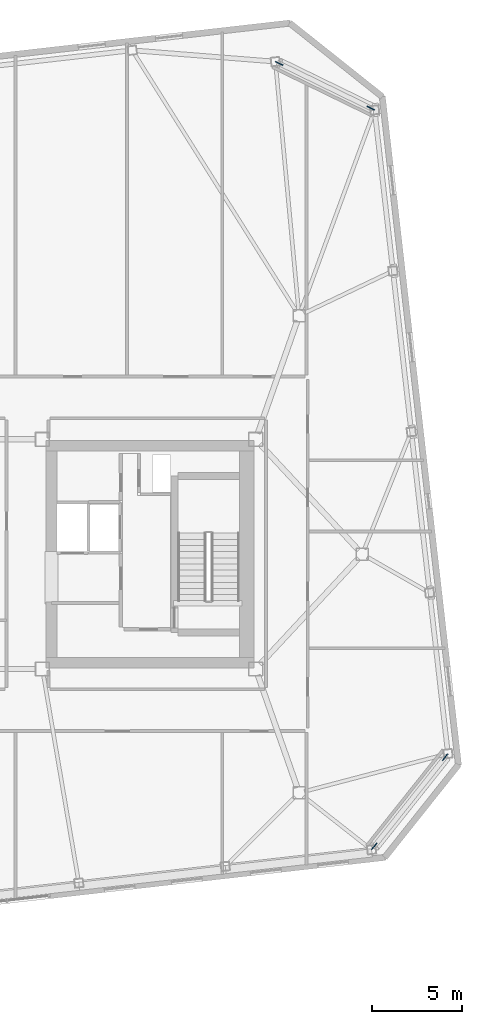
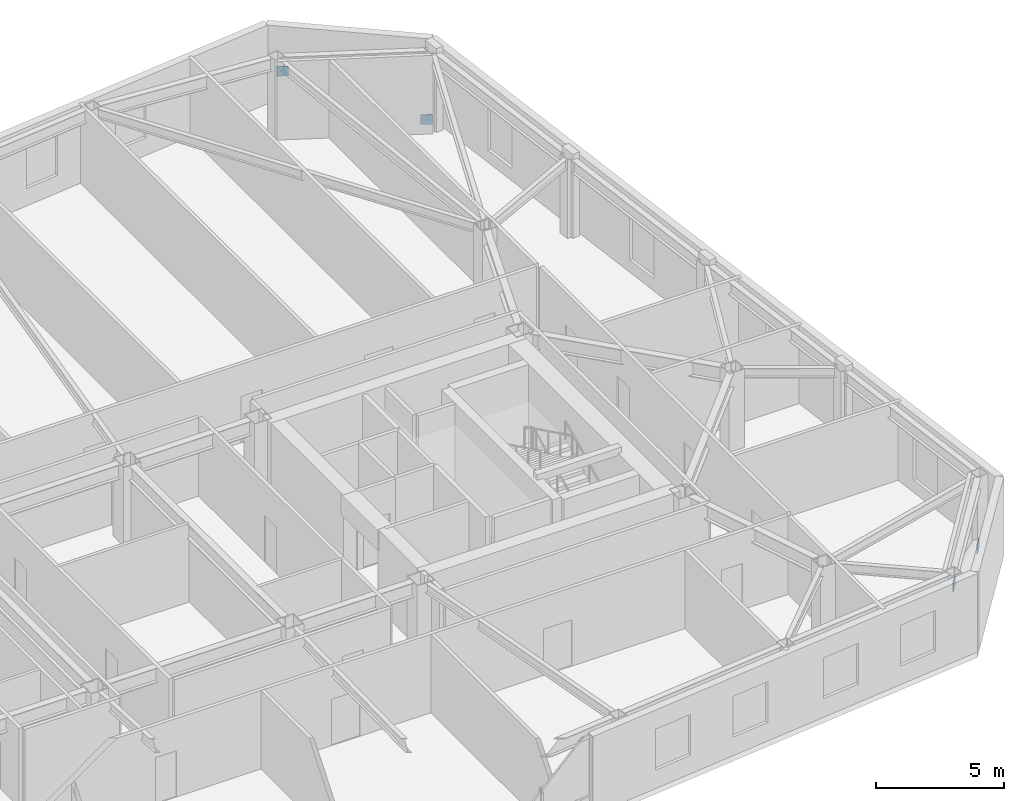
# One storey, part 18 of 19: 4 discrete accessories.
"""IFC4 building model written with IfcOpenShell, lengths in metres."""

from ifc_helpers import new_model, si_unit, direction, frame, origin, origin_2d, place, context, subcontext, project, spatial, rectangle, extrude, material, type_object, element, save


model = new_model("IFC4")

# Units and contexts
model_context = context("Model", 3, precision=1e-05, world=origin(), true_north=direction((0.0, 1.0)))
body_context = subcontext(model_context, "Body", "Model", "MODEL_VIEW")
ifc_project = project(units=[si_unit("LENGTHUNIT", "METRE"), si_unit("AREAUNIT", "SQUARE_METRE"), si_unit("VOLUMEUNIT", "CUBIC_METRE"), si_unit("PLANEANGLEUNIT", "RADIAN"), si_unit("MASSUNIT", "GRAM", prefix="KILO")], contexts=[model_context])

# Site, building, storey
site_placement = place(None, origin())
site = spatial("IfcSite", under=ifc_project, at=site_placement, CompositionType="ELEMENT")
building_placement = place(site_placement, origin())
building = spatial("IfcBuilding", under=site, at=building_placement, Name="Tavrogorsk Clinical Tower", CompositionType="ELEMENT")
storey_placement = place(building_placement, frame((0.0, 0.0, 263.0)))
storey = spatial("IfcBuildingStorey", under=building, at=storey_placement, Name="L61", CompositionType="ELEMENT", Elevation=263.0)

# Discrete accessories
ifc_material = material(Name="Structural steel S440", Category="steel")
discrete_accessory_type = type_object("IfcDiscreteAccessoryType", Name="GussetPlateBracket_25", PredefinedType="BRACKET", material=ifc_material)
for number, where, z_axis, x_axis, name in (
    (1, (32.5859375, -11.2197265625, 0.168212890625), (0.0, 0.0, 1.0), (-0.622514636638, -0.782608156852, 0.0), "L61 Brace Gusset Plate EXOCRN-L61-1-A"),
    (2, (28.6572265625, -16.15869140625, 2.761962890625), (0.0, 0.0, 1.0), (-0.622514636638, -0.782608156852, 0.0), "L61 Brace Gusset Plate EXOCRN-L61-1-B"),
    (3, (28.46630859375, 24.679443359375, 0.17724609375), (0.0, 0.0, 1.0), (-0.898794046299, 0.438371146789, 0.0), "L61 Brace Gusset Plate EXOCRN-L61-2-A"),
    (4, (23.399169921875, 27.150634765625, 2.7529296875), (0.0, 0.0, 1.0), (-0.898794046299, 0.438371146789, 0.0), "L61 Brace Gusset Plate EXOCRN-L61-2-B"),
):
    element("IfcDiscreteAccessory", number, at=place(storey_placement, frame(where, z_axis=z_axis, x_axis=x_axis)), inside=storey, type_object=discrete_accessory_type, Name=name, PredefinedType="BRACKET", context=body_context, shape_type="SweptSolid", body=[
        extrude(rectangle(XDim=0.4599609375, YDim=0.0400390625, at=origin_2d()), origin(), (0.0, 0.0, 1.0), 0.4599609375),
    ])

save(model, "model.ifc")
